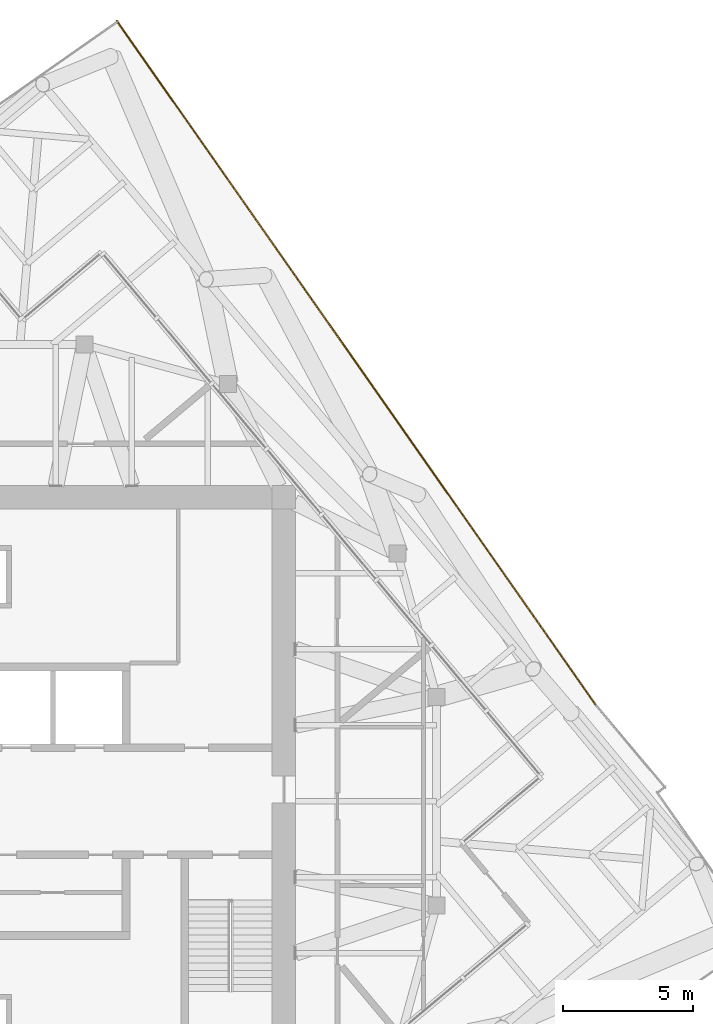
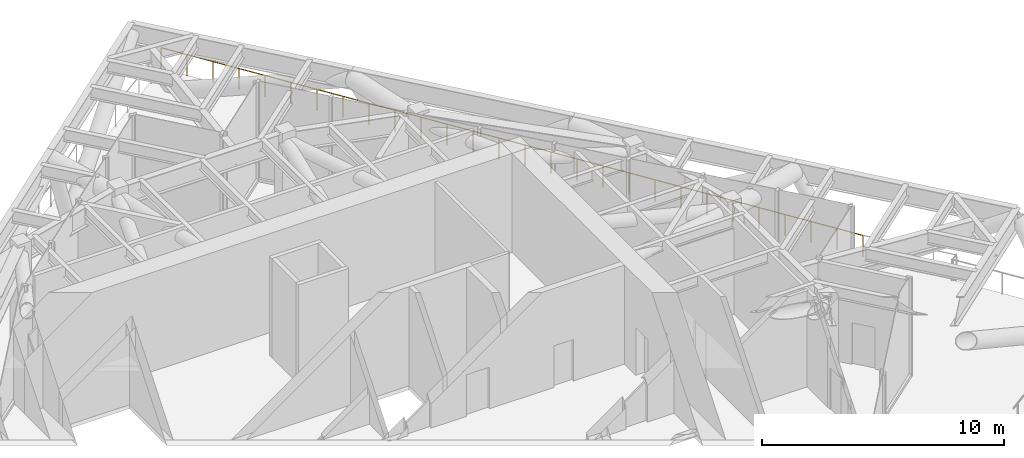
# One storey, part 15 of 15: 1 railing.
"""IFC4 building model written with IfcOpenShell, lengths in metres."""

from ifc_helpers import new_model, si_unit, direction, frame, origin, origin_2d, place, context, subcontext, project, spatial, circle, extrude, material, type_object, element, save


model = new_model("IFC4")

# Units and contexts
model_context = context("Model", 3, precision=1e-05, world=origin(), true_north=direction((0.0, 1.0)))
body_context = subcontext(model_context, "Body", "Model", "MODEL_VIEW")
ifc_project = project(units=[si_unit("LENGTHUNIT", "METRE"), si_unit("AREAUNIT", "SQUARE_METRE"), si_unit("VOLUMEUNIT", "CUBIC_METRE"), si_unit("PLANEANGLEUNIT", "RADIAN"), si_unit("MASSUNIT", "GRAM", prefix="KILO")], contexts=[model_context])

# Site, building, storey
site_placement = place(None, origin())
site = spatial("IfcSite", under=ifc_project, at=site_placement, CompositionType="ELEMENT")
building_placement = place(site_placement, origin())
building = spatial("IfcBuilding", under=site, at=building_placement, Name="Torsade Residences", CompositionType="ELEMENT")
storey_placement = place(building_placement, frame((0.0, 0.0, 267.60009765625)))
storey = spatial("IfcBuildingStorey", under=building, at=storey_placement, Name="L74", CompositionType="ELEMENT", Elevation=267.60009765625)

# Railing
ifc_material = material(Name="Galvanised steel guard rail", Category="steel")
railing_type = type_object("IfcRailingType", Name="ROOF EDGE GUARD 1100", PredefinedType="GUARDRAIL", material=ifc_material)
railing_placement = place(storey_placement, frame((63.613525390625, 33.67333984375, 0.0)))
element("IfcRailing", 1, at=railing_placement, inside=storey, type_object=railing_type, Name="Roof edge guard L74 7", PredefinedType="GUARDRAIL", context=body_context, shape_type="SweptSolid", body=[
    extrude(circle(Radius=0.02392578125, at=origin_2d()), frame((0.0, 0.0, 1.076171875), z_axis=(-0.573573841347, 0.819153861324, 0.0), x_axis=(-0.819153861324, -0.573573841347, 0.0)), (0.0, 0.0, 1.0), 32.03515625),
    extrude(circle(Radius=0.02099609375, at=origin_2d()), origin(), (0.0, 0.0, 1.0), 1.052001953125),
    extrude(circle(Radius=0.02099609375, at=origin_2d()), frame((-0.680419921875, 0.971923828125, 0.0)), (0.0, 0.0, 1.0), 1.052001953125),
    extrude(circle(Radius=0.02099609375, at=origin_2d()), frame((-1.361083984375, 1.94384765625, 0.0)), (0.0, 0.0, 1.0), 1.052001953125),
    extrude(circle(Radius=0.02099609375, at=origin_2d()), frame((-2.04150390625, 2.915771484375, 0.0)), (0.0, 0.0, 1.0), 1.052001953125),
    extrude(circle(Radius=0.02099609375, at=origin_2d()), frame((-2.72216796875, 3.8876953125, 0.0)), (0.0, 0.0, 1.0), 1.052001953125),
    extrude(circle(Radius=0.02099609375, at=origin_2d()), frame((-3.402587890625, 4.859619140625, 0.0)), (0.0, 0.0, 1.0), 1.052001953125),
    extrude(circle(Radius=0.02099609375, at=origin_2d()), frame((-4.083251953125, 5.83154296875, 0.0)), (0.0, 0.0, 1.0), 1.052001953125),
    extrude(circle(Radius=0.02099609375, at=origin_2d()), frame((-4.763671875, 6.803466796875, 0.0)), (0.0, 0.0, 1.0), 1.052001953125),
    extrude(circle(Radius=0.02099609375, at=origin_2d()), frame((-5.4443359375, 7.775390625, 0.0)), (0.0, 0.0, 1.0), 1.052001953125),
    extrude(circle(Radius=0.02099609375, at=origin_2d()), frame((-6.124755859375, 8.747314453125, 0.0)), (0.0, 0.0, 1.0), 1.052001953125),
    extrude(circle(Radius=0.02099609375, at=origin_2d()), frame((-6.805419921875, 9.71923828125, 0.0)), (0.0, 0.0, 1.0), 1.052001953125),
    extrude(circle(Radius=0.02099609375, at=origin_2d()), frame((-7.48583984375, 10.691162109375, 0.0)), (0.0, 0.0, 1.0), 1.052001953125),
    extrude(circle(Radius=0.02099609375, at=origin_2d()), frame((-8.16650390625, 11.6630859375, 0.0)), (0.0, 0.0, 1.0), 1.052001953125),
    extrude(circle(Radius=0.02099609375, at=origin_2d()), frame((-8.846923828125, 12.635009765625, 0.0)), (0.0, 0.0, 1.0), 1.052001953125),
    extrude(circle(Radius=0.02099609375, at=origin_2d()), frame((-9.527587890625, 13.606689453125, 0.0)), (0.0, 0.0, 1.0), 1.052001953125),
    extrude(circle(Radius=0.02099609375, at=origin_2d()), frame((-10.2080078125, 14.57861328125, 0.0)), (0.0, 0.0, 1.0), 1.052001953125),
    extrude(circle(Radius=0.02099609375, at=origin_2d()), frame((-10.888671875, 15.550537109375, 0.0)), (0.0, 0.0, 1.0), 1.052001953125),
    extrude(circle(Radius=0.02099609375, at=origin_2d()), frame((-11.569091796875, 16.5224609375, 0.0)), (0.0, 0.0, 1.0), 1.052001953125),
    extrude(circle(Radius=0.02099609375, at=origin_2d()), frame((-12.249755859375, 17.494384765625, 0.0)), (0.0, 0.0, 1.0), 1.052001953125),
    extrude(circle(Radius=0.02099609375, at=origin_2d()), frame((-12.93017578125, 18.46630859375, 0.0)), (0.0, 0.0, 1.0), 1.052001953125),
    extrude(circle(Radius=0.02099609375, at=origin_2d()), frame((-13.61083984375, 19.438232421875, 0.0)), (0.0, 0.0, 1.0), 1.052001953125),
    extrude(circle(Radius=0.02099609375, at=origin_2d()), frame((-14.291259765625, 20.41015625, 0.0)), (0.0, 0.0, 1.0), 1.052001953125),
    extrude(circle(Radius=0.02099609375, at=origin_2d()), frame((-14.971923828125, 21.382080078125, 0.0)), (0.0, 0.0, 1.0), 1.052001953125),
    extrude(circle(Radius=0.02099609375, at=origin_2d()), frame((-15.65234375, 22.35400390625, 0.0)), (0.0, 0.0, 1.0), 1.052001953125),
    extrude(circle(Radius=0.02099609375, at=origin_2d()), frame((-16.3330078125, 23.325927734375, 0.0)), (0.0, 0.0, 1.0), 1.052001953125),
    extrude(circle(Radius=0.02099609375, at=origin_2d()), frame((-17.013427734375, 24.2978515625, 0.0)), (0.0, 0.0, 1.0), 1.052001953125),
    extrude(circle(Radius=0.02099609375, at=origin_2d()), frame((-17.694091796875, 25.269775390625, 0.0)), (0.0, 0.0, 1.0), 1.052001953125),
    extrude(circle(Radius=0.02099609375, at=origin_2d()), frame((-18.37451171875, 26.24169921875, 0.0)), (0.0, 0.0, 1.0), 1.052001953125),
])

save(model, "model.ifc")
